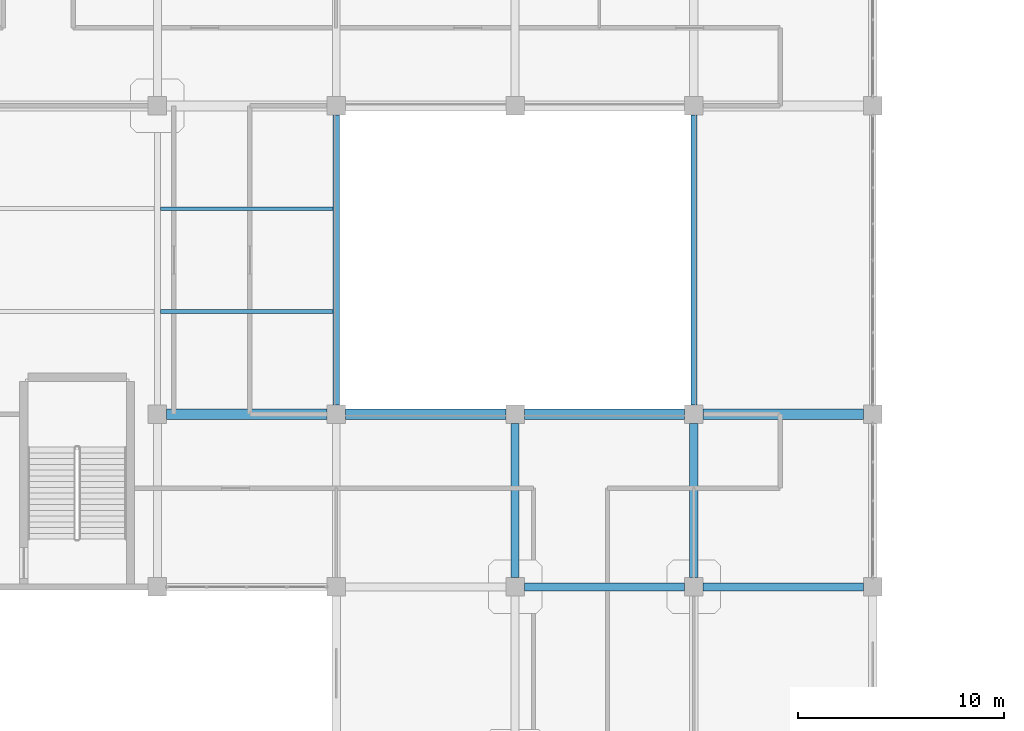
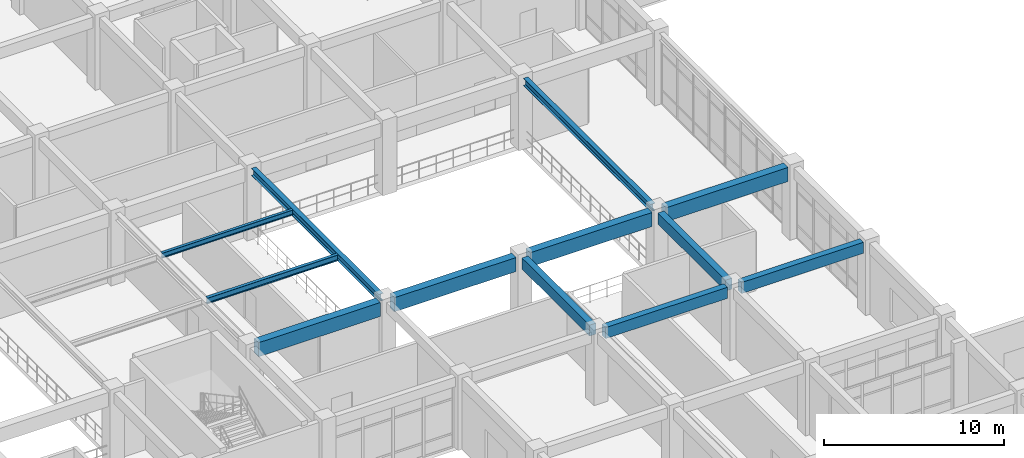
# One storey, part 45 of 120: 12 beams.
"""IFC4 building model written with IfcOpenShell, lengths in metres."""

from ifc_helpers import new_model, si_unit, derived_unit, direction, frame, origin, origin_2d, place, context, subcontext, project, spatial, rectangle, i_section, extrude, material, material_profile, profile_set, type_object, element, save


model = new_model("IFC4")

# Units and contexts
model_context = context("Model", 3, precision=1e-05, world=origin(), true_north=direction((0.0, 1.0)))
body_context = subcontext(model_context, "Body", "Model", "MODEL_VIEW")
ifc_project = project(units=[si_unit("LENGTHUNIT", "METRE"), si_unit("AREAUNIT", "SQUARE_METRE"), si_unit("VOLUMEUNIT", "CUBIC_METRE"), si_unit("PLANEANGLEUNIT", "RADIAN"), si_unit("MASSUNIT", "GRAM", prefix="KILO"), derived_unit("THERMALTRANSMITTANCEUNIT", [(si_unit("MASSUNIT", "GRAM", prefix="KILO"), 1), (si_unit("TIMEUNIT", "SECOND"), -3), (si_unit("THERMODYNAMICTEMPERATUREUNIT", "KELVIN"), -1)])], contexts=[model_context])

# Site, building, storey
site_placement = place(None, origin())
site = spatial("IfcSite", under=ifc_project, at=site_placement, CompositionType="ELEMENT")
building_placement = place(site_placement, origin())
building = spatial("IfcBuilding", under=site, at=building_placement, Name="Qinzheling Arcade Emporium", CompositionType="ELEMENT")
storey_placement = place(building_placement, frame((0.0, 0.0, 11.39990234375)))
storey = spatial("IfcBuildingStorey", under=building, at=storey_placement, Name="L03", CompositionType="ELEMENT", Elevation=11.39990234375)

# Beams
ifc_material_1 = material(Name="Structural steel Q355B", Category="steel")
ifc_material_profile_1 = material_profile(ifc_material_1, i_section(OverallWidth=0.300048828125, OverallDepth=0.488037109375, WebThickness=0.010986328125, FlangeThickness=0.01806640625, FilletRadius=0.02197265625, at=origin_2d()), Name="HM 488x300x11x18", Category="steel")
ifc_profile_set_1 = profile_set([ifc_material_profile_1], Name="Structural steel Q355B")
beam_type_1 = type_object("IfcBeamType", Name="Atrium Bridge Girder HM488 Q355B", PredefinedType="USERDEFINED", material=ifc_profile_set_1)
for number, where, z_axis, x_axis, name in (
    (1, (104.39990234375, 50.85009765625, 4.576171875), (0.0, 1.0, 0.0), (-1.0, 0.0, 0.0), "Beam BM-L03-Y-13-G"),
    (2, (121.800048828125, 50.85009765625, 4.576171875), (0.0, 1.0, 0.0), (-1.0, 0.0, 0.0), "Beam BM-L03-Y-15-G"),
):
    element("IfcBeam", number, at=place(storey_placement, frame(where, z_axis=z_axis, x_axis=x_axis)), inside=storey, type_object=beam_type_1, Name=name, ObjectType="TRANSFER_GIRDER", PredefinedType="USERDEFINED", context=body_context, shape_type="SweptSolid", body=[
        extrude(i_section(OverallWidth=0.300048828125, OverallDepth=0.488037109375, WebThickness=0.010986328125, FlangeThickness=0.01806640625, FilletRadius=0.02197265625, at=origin_2d()), origin(), (0.0, 0.0, 1.0), 14.099853515625),
    ])
ifc_material_profile_2 = material_profile(ifc_material_1, i_section(OverallWidth=0.175048828125, OverallDepth=0.35009765625, WebThickness=0.007080078125, FlangeThickness=0.010986328125, FilletRadius=0.013916015625, at=origin_2d()), Name="HN 350x175x7x11", Category="steel")
ifc_profile_set_2 = profile_set([ifc_material_profile_2], Name="Structural steel Q355B")
beam_type_2 = type_object("IfcBeamType", Name="Canopy Secondary Joist HN350 Q355B", PredefinedType="JOIST", material=ifc_profile_set_2)
beam_1_placement = place(storey_placement, frame((95.85498046875, 60.39990234375, 4.64501953125), z_axis=(1.0, 0.0, 0.0), x_axis=(0.0, 1.0, 0.0)))
element("IfcBeam", 3, at=beam_1_placement, inside=storey, type_object=beam_type_2, Name="Secondary Joist JST-L03-12-2", PredefinedType="JOIST", context=body_context, shape_type="SweptSolid", body=[
    extrude(i_section(OverallWidth=0.175048828125, OverallDepth=0.35009765625, WebThickness=0.007080078125, FlangeThickness=0.010986328125, FilletRadius=0.013916015625, at=origin_2d()), origin(), (0.0, 0.0, 1.0), 8.39013671875),
])
ifc_material_2 = material(Name="Concrete C40", Category="concrete")
ifc_material_profile_3 = material_profile(ifc_material_2, rectangle(XDim=0.39990234375, YDim=0.75, at=origin_2d()), Name="RC 400x750", Category="concrete")
ifc_profile_set_3 = profile_set([ifc_material_profile_3], Name="Concrete C40")
beam_type_3 = type_object("IfcBeamType", Name="RC Interior Tie Beam 400x750 C40", PredefinedType="BEAM", material=ifc_profile_set_3)
for number, where, z_axis, x_axis, name in (
    (4, (113.550048828125, 42.0, 4.445068359375), (1.0, 0.0, 0.0), (0.0, 1.0, 0.0), "Beam BM-L03-X-F-14"),
    (5, (122.25, 42.0, 4.445068359375), (1.0, 0.0, 0.0), (0.0, 1.0, 0.0), "Beam BM-L03-X-F-15"),
):
    element("IfcBeam", number, at=place(storey_placement, frame(where, z_axis=z_axis, x_axis=x_axis)), inside=storey, type_object=beam_type_3, Name=name, PredefinedType="BEAM", context=body_context, shape_type="SweptSolid", body=[
        extrude(rectangle(XDim=0.39990234375, YDim=0.75, at=origin_2d()), origin(), (0.0, 0.0, 1.0), 7.800048828125),
    ])
for number, where, z_axis, x_axis, name in (
    (6, (113.10009765625, 42.449951171875, 4.445068359375), (0.0, 1.0, 0.0), (-1.0, 0.0, 0.0), "Beam BM-L03-Y-14-F"),
    (7, (121.800048828125, 42.449951171875, 4.445068359375), (0.0, 1.0, 0.0), (-1.0, 0.0, 0.0), "Beam BM-L03-Y-15-F"),
):
    element("IfcBeam", number, at=place(storey_placement, frame(where, z_axis=z_axis, x_axis=x_axis)), inside=storey, type_object=beam_type_3, Name=name, PredefinedType="BEAM", context=body_context, shape_type="SweptSolid", body=[
        extrude(rectangle(XDim=0.39990234375, YDim=0.75, at=origin_2d()), origin(), (0.0, 0.0, 1.0), 7.5),
    ])
ifc_material_profile_4 = material_profile(ifc_material_2, rectangle(XDim=0.5, YDim=0.949951171875, at=origin_2d()), Name="RC 500x950", Category="concrete")
ifc_profile_set_4 = profile_set([ifc_material_profile_4], Name="Concrete C40")
beam_type_4 = type_object("IfcBeamType", Name="RC Vault Ring Beam 500x950 C40", PredefinedType="BEAM", material=ifc_profile_set_4)
beam_2_placement = place(storey_placement, frame((96.14990234375, 50.39990234375, 4.34521484375), z_axis=(1.0, 0.0, 0.0), x_axis=(0.0, 1.0, 0.0)))
element("IfcBeam", 8, at=beam_2_placement, inside=storey, type_object=beam_type_4, Name="Beam BM-L03-X-G-12", PredefinedType="BEAM", context=body_context, shape_type="SweptSolid", body=[
    extrude(rectangle(XDim=0.5, YDim=0.949951171875, at=origin_2d()), origin(), (0.0, 0.0, 1.0), 7.800048828125),
])
beam_3_placement = place(storey_placement, frame((104.85009765625, 50.39990234375, 4.34521484375), z_axis=(1.0, 0.0, 0.0), x_axis=(0.0, 1.0, 0.0)))
element("IfcBeam", 9, at=beam_3_placement, inside=storey, type_object=beam_type_4, Name="Beam BM-L03-X-G-13", PredefinedType="BEAM", context=body_context, shape_type="SweptSolid", body=[
    extrude(rectangle(XDim=0.5, YDim=0.949951171875, at=origin_2d()), origin(), (0.0, 0.0, 1.0), 7.7998046875),
])
for number, where, z_axis, x_axis, name in (
    (10, (113.550048828125, 50.39990234375, 4.34521484375), (1.0, 0.0, 0.0), (0.0, 1.0, 0.0), "Beam BM-L03-X-G-14"),
    (11, (122.25, 50.39990234375, 4.34521484375), (1.0, 0.0, 0.0), (0.0, 1.0, 0.0), "Beam BM-L03-X-G-15"),
):
    element("IfcBeam", number, at=place(storey_placement, frame(where, z_axis=z_axis, x_axis=x_axis)), inside=storey, type_object=beam_type_4, Name=name, PredefinedType="BEAM", context=body_context, shape_type="SweptSolid", body=[
        extrude(rectangle(XDim=0.5, YDim=0.949951171875, at=origin_2d()), origin(), (0.0, 0.0, 1.0), 7.800048828125),
    ])
ifc_material_profile_5 = material_profile(ifc_material_1, i_section(OverallWidth=0.199951171875, OverallDepth=0.39990234375, WebThickness=0.008056640625, FlangeThickness=0.012939453125, FilletRadius=0.01611328125, at=origin_2d()), Name="HN 400x200x8x13", Category="steel")
ifc_profile_set_5 = profile_set([ifc_material_profile_5], Name="Structural steel Q355B")
beam_type_5 = type_object("IfcBeamType", Name="Storm Eave Outlooker Joist HN400 Q355B", PredefinedType="JOIST", material=ifc_profile_set_5)
beam_4_placement = place(storey_placement, frame((95.85498046875, 55.39990234375, 4.6201171875), z_axis=(1.0, 0.0, 0.0), x_axis=(0.0, 1.0, 0.0)))
element("IfcBeam", 12, at=beam_4_placement, inside=storey, type_object=beam_type_5, Name="Secondary Joist JST-L03-12-1", PredefinedType="JOIST", context=body_context, shape_type="SweptSolid", body=[
    extrude(i_section(OverallWidth=0.199951171875, OverallDepth=0.39990234375, WebThickness=0.008056640625, FlangeThickness=0.012939453125, FilletRadius=0.01611328125, at=origin_2d()), origin(), (0.0, 0.0, 1.0), 8.39013671875),
])

save(model, "model.ifc")
